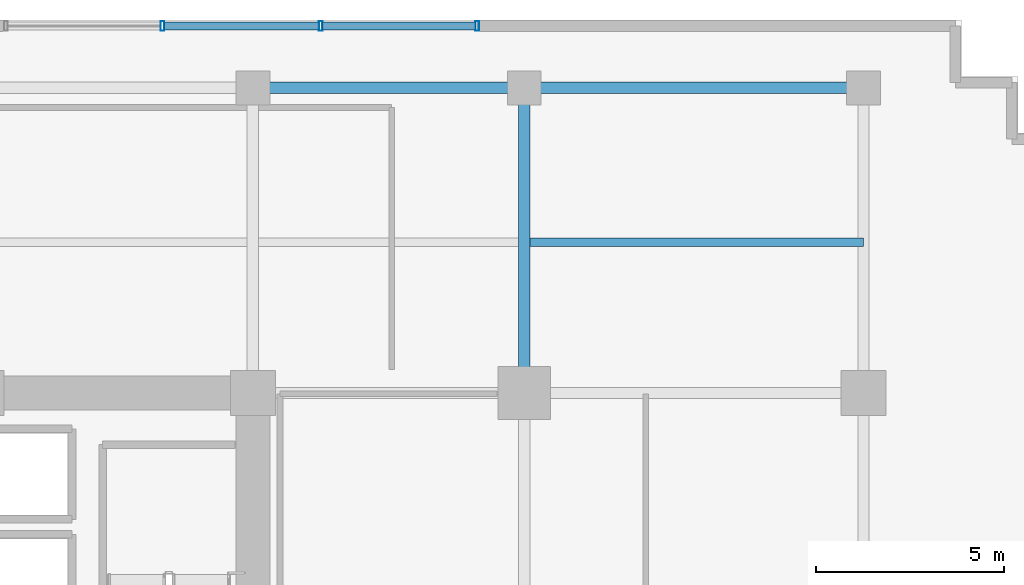
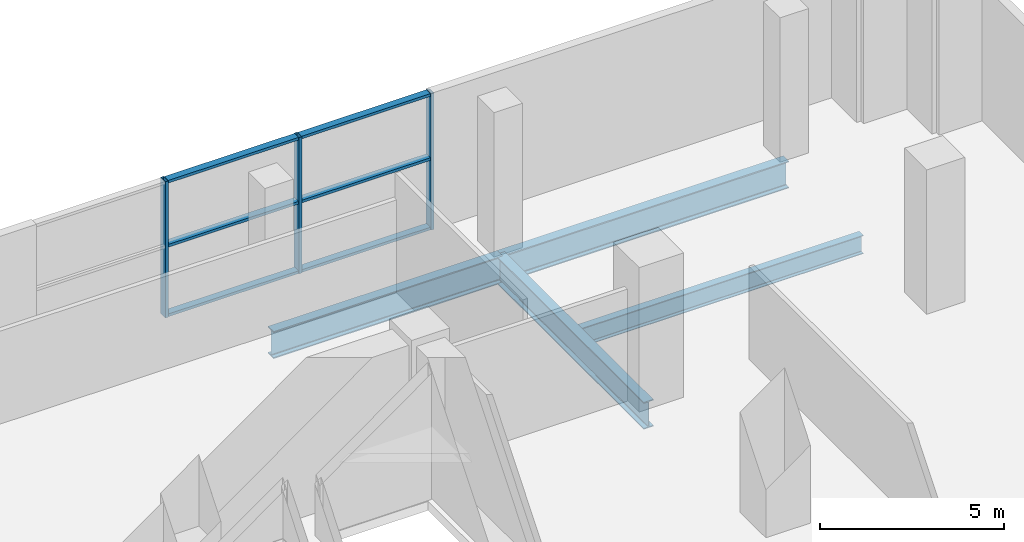
# One storey, part 13 of 22: 9 members, 4 beams, 1 element without a shape of its own.
"""IFC4 building model written with IfcOpenShell, lengths in metres."""

import ifcopenshell
import ifcopenshell.guid

model = None  # the IFC model being written
_history = None  # IfcOwnerHistory: only IFC2X3 demands one
_inside = {}  # id of a spatial element -> (the spatial element, [elements in it])
_under = {}  # id of a project, library or spatial element -> (it, [spatial elements below it])
_declared = {}  # id of a project -> (the project, [libraries it declares])
_typed = {}  # id of a type object -> (the type object, [elements of that type])
_made_of = {}  # id of a material, layer set ... -> (it, [elements and type objects made of it])


def new_model(schema):
    """Start an empty IFC model of exactly this schema.

    Asked for "IFC4X3", IfcOpenShell would pick the latest addendum, in which some entities
    have other attributes; the version numbers below select the first issue.
    IFC2X3 requires an IfcOwnerHistory on every rooted entity: one is made here for all.
    """
    global model, _history
    if schema == "IFC4X3":
        model = ifcopenshell.file(schema_version=(4, 3, 0, 0))
    else:
        model = ifcopenshell.file(schema=schema)
    _inside.clear()
    _under.clear()
    _declared.clear()
    _typed.clear()
    _made_of.clear()
    _history = None
    if model.schema == "IFC2X3":
        org = make("IfcOrganization", Name="unknown")
        user = make(
            "IfcPersonAndOrganization",
            ThePerson=make("IfcPerson", FamilyName="unknown"),
            TheOrganization=org,
        )
        app = make(
            "IfcApplication",
            ApplicationDeveloper=org,
            Version="unknown",
            ApplicationFullName="unknown",
            ApplicationIdentifier="unknown",
        )
        _history = make(
            "IfcOwnerHistory",
            OwningUser=user,
            OwningApplication=app,
            ChangeAction="ADDED",
            CreationDate=0,
        )
    return model


def make(cls, **values):
    """One entity of the class cls with the attributes given. An attribute that is None is left unset."""
    return model.create_entity(
        cls, **{name: value for name, value in values.items() if value is not None}
    )


def rooted(cls, **values):
    """An entity with a GlobalId (a new one), such as an element, a storey or a relation."""
    return make(cls, GlobalId=ifcopenshell.guid.new(), OwnerHistory=_history, **values)


def si_unit(unit_type, name, prefix=None):
    """IfcSIUnit, for example si_unit("LENGTHUNIT", "METRE", prefix="MILLI")."""
    return make("IfcSIUnit", UnitType=unit_type, Prefix=prefix, Name=name)


def assignment(units):
    """IfcUnitAssignment: the units of a project."""
    return None if units is None else make("IfcUnitAssignment", Units=units)


def point(xyz):
    """IfcCartesianPoint."""
    return None if xyz is None else make("IfcCartesianPoint", Coordinates=xyz)


def direction(xyz):
    """IfcDirection."""
    return None if xyz is None else make("IfcDirection", DirectionRatios=xyz)


def frame(location, z_axis=None, x_axis=None):
    """IfcAxis2Placement3D, a coordinate frame: its origin and axes. An axis left out is left unset."""
    return make(
        "IfcAxis2Placement3D",
        Location=point(location),
        Axis=direction(z_axis),
        RefDirection=direction(x_axis),
    )


def frame_2d(location, x_axis=None):
    """IfcAxis2Placement2D, a coordinate frame in the plane: its origin and x axis."""
    return make(
        "IfcAxis2Placement2D", Location=point(location), RefDirection=direction(x_axis)
    )


def origin():
    """The frame at (0, 0, 0) with its axes left unset."""
    return frame((0.0, 0.0, 0.0))


def origin_2d():
    """The frame at (0, 0) in the plane with its x axis left unset."""
    return frame_2d((0.0, 0.0))


def place(relative_to, where):
    """IfcLocalPlacement: puts the frame where relative to a parent placement (None: the world)."""
    return make(
        "IfcLocalPlacement", PlacementRelTo=relative_to, RelativePlacement=where
    )


def context(
    kind, dimensions, precision=None, world=None, true_north=None, identifier=None
):
    """IfcGeometricRepresentationContext, for example the 3D "Model" context."""
    return make(
        "IfcGeometricRepresentationContext",
        ContextIdentifier=identifier,
        ContextType=kind,
        CoordinateSpaceDimension=dimensions,
        Precision=precision,
        WorldCoordinateSystem=world,
        TrueNorth=true_north,
    )


def subcontext(parent, identifier, kind, view, scale=None):
    """IfcGeometricRepresentationSubContext, for example "Body" below "Model"."""
    return make(
        "IfcGeometricRepresentationSubContext",
        ContextIdentifier=identifier,
        ContextType=kind,
        ParentContext=parent,
        TargetScale=scale,
        TargetView=view,
    )


def project(units=None, contexts=None):
    """IfcProject with its units and contexts."""
    return rooted(
        "IfcProject",
        Name="project",
        RepresentationContexts=contexts,
        UnitsInContext=assignment(units),
    )


def spatial(cls, under=None, at=None, **own):
    """A site, building, storey or space (cls), placed at a placement, below another one or the project."""
    s = rooted(cls, ObjectPlacement=at, **own)
    if under is not None:
        _under.setdefault(under.id(), (under, []))[1].append(s)
    return s


def profile(cls, at=None, kind="AREA", **sizes):
    """A parametric profile (cls). Its sizes go by their IFC names, for example OverallWidth=200.0."""
    return make(cls, ProfileType=kind, Position=at, **sizes)


def hollow_rectangle(**sizes):
    """IfcRectangleHollowProfileDef."""
    return profile("IfcRectangleHollowProfileDef", **sizes)


def i_section(**sizes):
    """IfcIShapeProfileDef."""
    return profile("IfcIShapeProfileDef", **sizes)


def extrude(swept, where, along, depth):
    """IfcExtrudedAreaSolid: the profile swept, set in the frame where, extruded along a direction by depth."""
    return make(
        "IfcExtrudedAreaSolid",
        SweptArea=swept,
        Position=where,
        ExtrudedDirection=direction(along),
        Depth=depth,
    )


def shape(context_of_items, identifier, shape_type, items):
    """IfcShapeRepresentation: the items that make up one representation, for example the "Body"."""
    return make(
        "IfcShapeRepresentation",
        ContextOfItems=context_of_items,
        RepresentationIdentifier=identifier,
        RepresentationType=shape_type,
        Items=items,
    )


def source(mapping_origin, context_of_items, identifier, shape_type, items):
    """IfcRepresentationMap: a shape defined once, which mapped items show again and again."""
    return make(
        "IfcRepresentationMap",
        MappingOrigin=mapping_origin,
        MappedRepresentation=shape(context_of_items, identifier, shape_type, items),
    )


def transform(
    local_origin,
    x_axis=None,
    y_axis=None,
    z_axis=None,
    scale=None,
    scale2=None,
    scale3=None,
    uniform=True,
):
    """IfcCartesianTransformationOperator3D, or its non-uniform kind. x_axis, y_axis, z_axis: its Axis1, 2, 3."""
    if uniform:
        return make(
            "IfcCartesianTransformationOperator3D",
            Axis1=direction(x_axis),
            Axis2=direction(y_axis),
            LocalOrigin=point(local_origin),
            Scale=scale,
            Axis3=direction(z_axis),
        )
    return make(
        "IfcCartesianTransformationOperator3DnonUniform",
        Axis1=direction(x_axis),
        Axis2=direction(y_axis),
        LocalOrigin=point(local_origin),
        Scale=scale,
        Axis3=direction(z_axis),
        Scale2=scale2,
        Scale3=scale3,
    )


def mapped(mapping_source, mapping_target):
    """IfcMappedItem: shows the shape of a source again, moved by a transform."""
    return make(
        "IfcMappedItem", MappingSource=mapping_source, MappingTarget=mapping_target
    )


def material(Name=None, Category=None):
    """IfcMaterial."""
    return make("IfcMaterial", Name=Name, Category=Category)


def layer(
    of_material, thickness, ventilated=None, Name=None, Category=None, Priority=None
):
    """IfcMaterialLayer: one layer of a wall or slab, of a material (None: an air gap)."""
    return make(
        "IfcMaterialLayer",
        Material=of_material,
        LayerThickness=thickness,
        IsVentilated=ventilated,
        Name=Name,
        Category=Category,
        Priority=Priority,
    )


def layer_set(layers, Name=None):
    """IfcMaterialLayerSet."""
    return make("IfcMaterialLayerSet", MaterialLayers=layers, LayerSetName=Name)


def material_profile(
    of_material, cross_section, Name=None, Category=None, Priority=None
):
    """IfcMaterialProfile: a cross section and its material."""
    return make(
        "IfcMaterialProfile",
        Name=Name,
        Material=of_material,
        Profile=cross_section,
        Priority=Priority,
        Category=Category,
    )


def profile_set(profiles, Name=None, composite=None):
    """IfcMaterialProfileSet."""
    return make(
        "IfcMaterialProfileSet",
        Name=Name,
        MaterialProfiles=profiles,
        CompositeProfile=composite,
    )


def made_of(thing, what):
    """Note that an element or type object is made of a material, layer set ...; save() writes the relation."""
    if what is not None:
        _made_of.setdefault(what.id(), (what, []))[1].append(thing)
    return thing


def type_object(cls, material=None, **own):
    """A type object (cls), such as IfcWallType, which elements share."""
    return made_of(rooted(cls, **own), material)


def element(
    cls,
    number,
    at=None,
    inside=None,
    cuts=None,
    type_object=None,
    material=None,
    context=None,
    identifier="Body",
    shape_type=None,
    held_by="IfcProductDefinitionShape",
    body=None,
    shapes=None,
    **own,
):
    """One element of the class cls, such as IfcWall. Its Tag is "e" and its number.

    at: its placement. inside: the storey or other place that contains it. cuts: it is an
    opening in that element (IfcRelVoidsElement). A single representation is given by context,
    identifier, shape_type and body (its items); several are given by shapes. held_by: the class
    of the entity that holds the representations. save() writes the other relations.
    """
    e = rooted(cls, Tag="e%d" % number, ObjectPlacement=at, **own)
    if body is not None:
        shapes = [shape(context, identifier, shape_type, body)]
    if shapes is not None:
        e.Representation = make(held_by, Representations=shapes)
    if inside is not None:
        _inside.setdefault(inside.id(), (inside, []))[1].append(e)
    if cuts is not None:
        rooted(
            "IfcRelVoidsElement", RelatingBuildingElement=cuts, RelatedOpeningElement=e
        )
    if type_object is not None:
        _typed.setdefault(type_object.id(), (type_object, []))[1].append(e)
    return made_of(e, material)


def aggregate(whole, parts):
    """IfcRelAggregates: a whole, such as a stair, and the parts it consists of."""
    return rooted("IfcRelAggregates", RelatingObject=whole, RelatedObjects=parts)


def save(model, path):
    """Write the relations noted so far, then the file.

    IfcRelAggregates (storeys below a building ...), IfcRelContainedInSpatialStructure (elements
    in a storey), IfcRelDefinesByType, IfcRelAssociatesMaterial and IfcRelDeclares: one each for
    every whole, place, type object, material and project.
    """
    for whole, parts in _under.values():
        aggregate(whole, parts)
    for where, things in _inside.values():
        rooted(
            "IfcRelContainedInSpatialStructure",
            RelatedElements=things,
            RelatingStructure=where,
        )
    for kind, things in _typed.values():
        rooted("IfcRelDefinesByType", RelatedObjects=things, RelatingType=kind)
    for what, things in _made_of.values():
        rooted("IfcRelAssociatesMaterial", RelatedObjects=things, RelatingMaterial=what)
    for by, libraries in _declared.values():
        rooted("IfcRelDeclares", RelatingContext=by, RelatedDefinitions=libraries)
    model.write(path)


model = new_model("IFC4")

# Units and contexts
model_context = context("Model", 3, precision=1e-05, world=origin(), true_north=direction((0.0, 1.0)))
body_context = subcontext(model_context, "Body", "Model", "MODEL_VIEW")
ifc_project = project(units=[si_unit("LENGTHUNIT", "METRE"), si_unit("AREAUNIT", "SQUARE_METRE"), si_unit("VOLUMEUNIT", "CUBIC_METRE"), si_unit("PLANEANGLEUNIT", "RADIAN"), si_unit("MASSUNIT", "GRAM", prefix="KILO")], contexts=[model_context])

# Site, building, storey
site_placement = place(None, origin())
site = spatial("IfcSite", under=ifc_project, at=site_placement, CompositionType="ELEMENT")
building_placement = place(site_placement, origin())
building = spatial("IfcBuilding", under=site, at=building_placement, Name="Zarnakvel Exchange Tower", CompositionType="ELEMENT")
storey_placement = place(building_placement, frame((0.0, 0.0, 22.60009765625)))
storey = spatial("IfcBuildingStorey", under=building, at=storey_placement, Name="L05", CompositionType="ELEMENT", Elevation=22.60009765625)

# Beams
ifc_material_1 = material(Name="Steel S355", Category="steel")
ifc_material_profile_1 = material_profile(ifc_material_1, i_section(OverallWidth=0.230224609375, OverallDepth=0.6171875, WebThickness=0.01318359375, FlangeThickness=0.022216796875, FilletRadius=0.0126953125, at=origin_2d()))
ifc_profile_set_1 = profile_set([ifc_material_profile_1], Name="Steel S355")
beam_type_1 = type_object("IfcBeamType", Name="B-02", PredefinedType="JOIST", material=ifc_profile_set_1)
beam_1_placement = place(storey_placement, frame((21.75, 17.5, -0.608642578125), z_axis=(1.0, 0.0, 0.0), x_axis=(0.0, 1.0, 0.0)))
element("IfcBeam", 1, at=beam_1_placement, inside=storey, type_object=beam_type_1, Name="L05 North Bay Secondary Floor Joist", PredefinedType="JOIST", context=body_context, shape_type="SweptSolid", body=[
    extrude(i_section(OverallWidth=0.230224609375, OverallDepth=0.6171875, WebThickness=0.01318359375, FlangeThickness=0.022216796875, FilletRadius=0.0126953125, at=origin_2d()), origin(), (0.0, 0.0, 1.0), 8.85009765625),
])
ifc_material_profile_2 = material_profile(ifc_material_1, i_section(OverallWidth=0.300048828125, OverallDepth=0.89990234375, WebThickness=0.0185546875, FlangeThickness=0.034912109375, FilletRadius=0.030029296875, at=origin_2d()))
ifc_profile_set_2 = profile_set([ifc_material_profile_2], Name="Steel S355")
beam_type_2 = type_object("IfcBeamType", Name="G-01", PredefinedType="BEAM", material=ifc_profile_set_2)
beam_2_placement = place(storey_placement, frame((14.39990234375, 21.60009765625, -0.75), z_axis=(1.0, 0.0, 0.0), x_axis=(0.0, 1.0, 0.0)))
element("IfcBeam", 2, at=beam_2_placement, inside=storey, type_object=beam_type_2, Name="L05 Primary E-W Girder Y=+21.6", PredefinedType="BEAM", context=body_context, shape_type="SweptSolid", body=[
    extrude(i_section(OverallWidth=0.300048828125, OverallDepth=0.89990234375, WebThickness=0.0185546875, FlangeThickness=0.034912109375, FilletRadius=0.030029296875, at=origin_2d()), origin(), (0.0, 0.0, 1.0), 7.2001953125),
])
beam_3_placement = place(storey_placement, frame((21.60009765625, 21.60009765625, -0.75), z_axis=(1.0, 0.0, 0.0), x_axis=(0.0, 1.0, 0.0)))
element("IfcBeam", 3, at=beam_3_placement, inside=storey, type_object=beam_type_2, Name="L05 Primary E-W Girder Y=+21.6", PredefinedType="BEAM", context=body_context, shape_type="SweptSolid", body=[
    extrude(i_section(OverallWidth=0.300048828125, OverallDepth=0.89990234375, WebThickness=0.0185546875, FlangeThickness=0.034912109375, FilletRadius=0.030029296875, at=origin_2d()), origin(), (0.0, 0.0, 1.0), 9.0),
])
beam_4_placement = place(storey_placement, frame((21.60009765625, 13.5, -0.75), z_axis=(0.0, 1.0, 0.0), x_axis=(-1.0, 0.0, 0.0)))
element("IfcBeam", 4, at=beam_4_placement, inside=storey, type_object=beam_type_2, Name="L05 Primary N-S Girder X=+21.6", PredefinedType="BEAM", context=body_context, shape_type="SweptSolid", body=[
    extrude(i_section(OverallWidth=0.300048828125, OverallDepth=0.89990234375, WebThickness=0.0185546875, FlangeThickness=0.034912109375, FilletRadius=0.030029296875, at=origin_2d()), origin(), (0.0, 0.0, 1.0), 8.10009765625),
])

# Curtain wall, members
ifc_material_2 = material(Name="Architectural Bronze Anodised Aluminium", Category="aluminium")
ifc_layer = layer(ifc_material_2, 0.260009765625)
ifc_layer_set = layer_set([ifc_layer], Name="Architectural Bronze Anodised Aluminium")
curtain_wall_type = type_object("IfcCurtainWallType", Name="CW-01", PredefinedType="NOTDEFINED", material=ifc_layer_set)
curtain_wall_placement = place(storey_placement, origin())
curtain_wall = element("IfcCurtainWall", 5, at=curtain_wall_placement, inside=storey, type_object=curtain_wall_type, Name="L05 Curtain Wall CW-L05-N2 (CW-01)", PredefinedType="NOTDEFINED")
ifc_material_profile_3 = material_profile(ifc_material_2, hollow_rectangle(XDim=0.219970703125, YDim=0.090087890625, WallThickness=0.0048828125, at=origin_2d()))
ifc_profile_set_3 = profile_set([ifc_material_profile_3], Name="Architectural Bronze Anodised Aluminium")
member_type_1 = type_object("IfcMemberType", Name="CWT-01", PredefinedType="USERDEFINED", material=ifc_profile_set_3)
shared_shape_1 = source(origin(), body_context, "Body", "SweptSolid", [
    extrude(hollow_rectangle(XDim=0.219970703125, YDim=0.090087890625, WallThickness=0.0048828125, at=origin_2d()), origin(), (0.0, 0.0, 1.0), 4.050048828125),
])
member_1_placement = place(storey_placement, frame((16.25, 23.239990234375, 0.044921875), z_axis=(1.0, 0.0, 0.0), x_axis=(0.0, 1.0, 0.0)))
member_1 = element("IfcMember", 6, at=member_1_placement, type_object=member_type_1, Name="CW-01 transom 3.1", ObjectType="TRANSOM", PredefinedType="USERDEFINED", context=body_context, shape_type="MappedRepresentation", body=[
    mapped(shared_shape_1, transform((0.0, 0.0, 0.0), x_axis=(1.0, 0.0, 0.0), y_axis=(0.0, 1.0, 0.0), z_axis=(0.0, 0.0, 1.0), scale=1.0)),
])
member_2_placement = place(storey_placement, frame((16.25, 23.239990234375, 2.35546875), z_axis=(1.0, 0.0, 0.0), x_axis=(0.0, 1.0, 0.0)))
member_2 = element("IfcMember", 7, at=member_2_placement, type_object=member_type_1, Name="CW-01 transom 3.2", ObjectType="TRANSOM", PredefinedType="USERDEFINED", context=body_context, shape_type="MappedRepresentation", body=[
    mapped(shared_shape_1, transform((0.0, 0.0, 0.0), x_axis=(1.0, 0.0, 0.0), y_axis=(0.0, 1.0, 0.0), z_axis=(0.0, 0.0, 1.0), scale=1.0)),
])
member_3_placement = place(storey_placement, frame((16.25, 23.239990234375, 4.48486328125), z_axis=(1.0, 0.0, 0.0), x_axis=(0.0, 1.0, 0.0)))
member_3 = element("IfcMember", 8, at=member_3_placement, type_object=member_type_1, Name="CW-01 transom 3.3", ObjectType="TRANSOM", PredefinedType="USERDEFINED", context=body_context, shape_type="MappedRepresentation", body=[
    mapped(shared_shape_1, transform((0.0, 0.0, 0.0), x_axis=(1.0, 0.0, 0.0), y_axis=(0.0, 1.0, 0.0), z_axis=(0.0, 0.0, 1.0), scale=1.0)),
])
shared_shape_2 = source(origin(), body_context, "Body", "SweptSolid", [
    extrude(hollow_rectangle(XDim=0.219970703125, YDim=0.090087890625, WallThickness=0.0048828125, at=origin_2d()), origin(), (0.0, 0.0, 1.0), 4.099853515625),
])
member_4_placement = place(storey_placement, frame((12.050048828125, 23.239990234375, 0.044921875), z_axis=(1.0, 0.0, 0.0), x_axis=(0.0, 1.0, 0.0)))
member_4 = element("IfcMember", 9, at=member_4_placement, type_object=member_type_1, Name="CW-01 transom 2.1", ObjectType="TRANSOM", PredefinedType="USERDEFINED", context=body_context, shape_type="MappedRepresentation", body=[
    mapped(shared_shape_2, transform((0.0, 0.0, 0.0), x_axis=(1.0, 0.0, 0.0), y_axis=(0.0, 1.0, 0.0), z_axis=(0.0, 0.0, 1.0), scale=1.0)),
])
member_5_placement = place(storey_placement, frame((12.050048828125, 23.239990234375, 2.35546875), z_axis=(1.0, 0.0, 0.0), x_axis=(0.0, 1.0, 0.0)))
member_5 = element("IfcMember", 10, at=member_5_placement, type_object=member_type_1, Name="CW-01 transom 2.2", ObjectType="TRANSOM", PredefinedType="USERDEFINED", context=body_context, shape_type="MappedRepresentation", body=[
    mapped(shared_shape_2, transform((0.0, 0.0, 0.0), x_axis=(1.0, 0.0, 0.0), y_axis=(0.0, 1.0, 0.0), z_axis=(0.0, 0.0, 1.0), scale=1.0)),
])
member_6_placement = place(storey_placement, frame((12.050048828125, 23.239990234375, 4.48486328125), z_axis=(1.0, 0.0, 0.0), x_axis=(0.0, 1.0, 0.0)))
member_6 = element("IfcMember", 11, at=member_6_placement, type_object=member_type_1, Name="CW-01 transom 2.3", ObjectType="TRANSOM", PredefinedType="USERDEFINED", context=body_context, shape_type="MappedRepresentation", body=[
    mapped(shared_shape_2, transform((0.0, 0.0, 0.0), x_axis=(1.0, 0.0, 0.0), y_axis=(0.0, 1.0, 0.0), z_axis=(0.0, 0.0, 1.0), scale=1.0)),
])
ifc_material_profile_4 = material_profile(ifc_material_2, hollow_rectangle(XDim=0.260009765625, YDim=0.10009765625, WallThickness=0.006103515625, at=origin_2d()))
ifc_profile_set_4 = profile_set([ifc_material_profile_4], Name="Architectural Bronze Anodised Aluminium")
member_type_2 = type_object("IfcMemberType", Name="CWM-01", PredefinedType="MULLION", material=ifc_profile_set_4)
shared_shape_3 = source(origin(), body_context, "Body", "SweptSolid", [
    extrude(hollow_rectangle(XDim=0.260009765625, YDim=0.10009765625, WallThickness=0.006103515625, at=origin_2d()), origin(), (0.0, 0.0, 1.0), 4.52978515625),
])
member_7_placement = place(storey_placement, frame((12.0, 23.239990234375, 0.0), z_axis=(0.0, 0.0, 1.0), x_axis=(0.0, 1.0, 0.0)))
member_7 = element("IfcMember", 12, at=member_7_placement, type_object=member_type_2, Name="CW-01 mullion 2", PredefinedType="MULLION", context=body_context, shape_type="MappedRepresentation", body=[
    mapped(shared_shape_3, transform((0.0, 0.0, 0.0), x_axis=(1.0, 0.0, 0.0), y_axis=(0.0, 1.0, 0.0), z_axis=(0.0, 0.0, 1.0), scale=1.0)),
])
member_8_placement = place(storey_placement, frame((16.199951171875, 23.239990234375, 0.0), z_axis=(0.0, 0.0, 1.0), x_axis=(0.0, 1.0, 0.0)))
member_8 = element("IfcMember", 13, at=member_8_placement, type_object=member_type_2, Name="CW-01 mullion 3", PredefinedType="MULLION", context=body_context, shape_type="MappedRepresentation", body=[
    mapped(shared_shape_3, transform((0.0, 0.0, 0.0), x_axis=(1.0, 0.0, 0.0), y_axis=(0.0, 1.0, 0.0), z_axis=(0.0, 0.0, 1.0), scale=1.0)),
])
member_9_placement = place(storey_placement, frame((20.35009765625, 23.239990234375, 0.0), z_axis=(0.0, 0.0, 1.0), x_axis=(0.0, 1.0, 0.0)))
member_9 = element("IfcMember", 14, at=member_9_placement, type_object=member_type_2, Name="CW-01 mullion 4", PredefinedType="MULLION", context=body_context, shape_type="MappedRepresentation", body=[
    mapped(shared_shape_3, transform((0.0, 0.0, 0.0), x_axis=(1.0, 0.0, 0.0), y_axis=(0.0, 1.0, 0.0), z_axis=(0.0, 0.0, 1.0), scale=1.0)),
])
aggregate(curtain_wall, [member_7, member_8, member_9, member_4, member_5, member_6, member_1, member_2, member_3])

save(model, "model.ifc")
